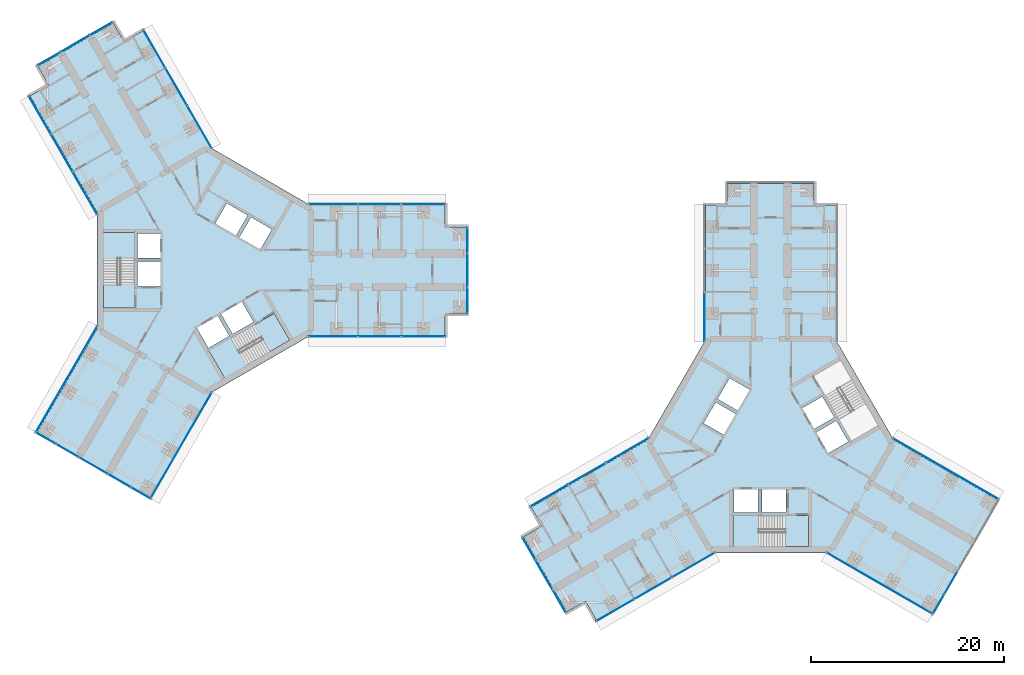
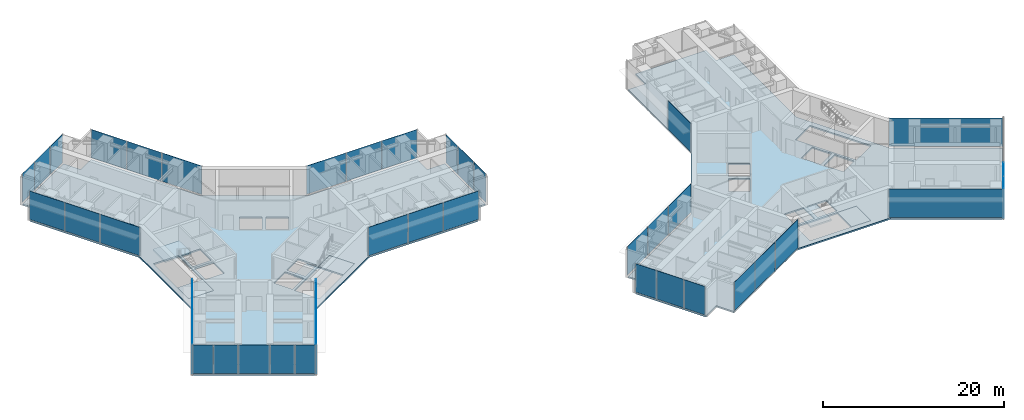
# One storey, part 13 of 22: 39 plates, 8 slabs, 19 elements without a shape of their own.
"""IFC4 building model written with IfcOpenShell, lengths in metres."""

from ifc_helpers import new_model, si_unit, direction, frame, origin, origin_2d, place, context, subcontext, project, spatial, polyline, rectangle, outline, extrude, material, layer, layer_set, type_object, element, aggregate, save


model = new_model("IFC4")

# Units and contexts
model_context = context("Model", 3, precision=1e-05, world=origin(), true_north=direction((0.0, 1.0)))
body_context = subcontext(model_context, "Body", "Model", "MODEL_VIEW")
ifc_project = project(units=[si_unit("LENGTHUNIT", "METRE"), si_unit("AREAUNIT", "SQUARE_METRE"), si_unit("VOLUMEUNIT", "CUBIC_METRE"), si_unit("PLANEANGLEUNIT", "RADIAN"), si_unit("MASSUNIT", "GRAM", prefix="KILO")], contexts=[model_context])

# Site, building, storey
site_placement = place(None, origin())
site = spatial("IfcSite", under=ifc_project, at=site_placement, CompositionType="ELEMENT")
building_placement = place(site_placement, origin())
building = spatial("IfcBuilding", under=site, at=building_placement, Name="Upepo Twin Towers", CompositionType="ELEMENT")
storey_placement = place(building_placement, frame((0.0, 0.0, 133.5)))
storey = spatial("IfcBuildingStorey", under=building, at=storey_placement, Name="L32", CompositionType="ELEMENT", Elevation=133.5)

# Curtain wall, plates
ifc_material_1 = material(Name="Aluminium and fritted glass", Category="aluminium")
curtain_wall_type = type_object("IfcCurtainWallType", Name="Tower curtain wall TW2, fritted glass", PredefinedType="NOTDEFINED", material=ifc_material_1)
curtain_wall_1_placement = place(storey_placement, origin())
curtain_wall_1 = element("IfcCurtainWall", 1, at=curtain_wall_1_placement, inside=storey, type_object=curtain_wall_type, Name="T1 L32 wing A flank L curtain wall", PredefinedType="NOTDEFINED")
ifc_material_2 = material(Name="Ceramic-fritted laminated glass", Category="glass")
ifc_layer_1 = layer(ifc_material_2, 0.031982421875)
ifc_layer_set_1 = layer_set([ifc_layer_1], Name="Fritted glass panel, 40 per cent dot frit, 32 mm double glazed")
plate_type_1 = type_object("IfcPlateType", Name="Fritted glass panel, 40 per cent dot frit, 32 mm double glazed", PredefinedType="CURTAIN_PANEL", material=ifc_layer_set_1)
plate_1_placement = place(storey_placement, frame((13.184814453125, 6.85009765625, 0.14990234375), z_axis=(0.0, 0.0, 1.0), x_axis=(1.0, 0.0, 0.0)))
plate_1 = element("IfcPlate", 2, at=plate_1_placement, type_object=plate_type_1, Name="T1 L32 wing A flank L curtain wall panel 1", PredefinedType="CURTAIN_PANEL", context=body_context, shape_type="SweptSolid", body=[
    extrude(rectangle(XDim=5.0654296875, YDim=0.031982421875, at=origin_2d()), origin(), (0.0, 0.0, 1.0), 3.85009765625),
])
plate_2_placement = place(storey_placement, frame((18.0, 6.85009765625, 0.14990234375), z_axis=(0.0, 0.0, 1.0), x_axis=(1.0, 0.0, 0.0)))
plate_2 = element("IfcPlate", 3, at=plate_2_placement, type_object=plate_type_1, Name="T1 L32 wing A flank L curtain wall panel 2", PredefinedType="CURTAIN_PANEL", context=body_context, shape_type="SweptSolid", body=[
    extrude(rectangle(XDim=4.43505859375, YDim=0.031982421875, at=origin_2d()), origin(), (0.0, 0.0, 1.0), 3.85009765625),
])
plate_3_placement = place(storey_placement, frame((22.53369140625, 6.85009765625, 0.14990234375), z_axis=(0.0, 0.0, 1.0), x_axis=(1.0, 0.0, 0.0)))
plate_3 = element("IfcPlate", 4, at=plate_3_placement, type_object=plate_type_1, Name="T1 L32 wing A flank L curtain wall panel 3", PredefinedType="CURTAIN_PANEL", context=body_context, shape_type="SweptSolid", body=[
    extrude(rectangle(XDim=4.50244140625, YDim=0.031982421875, at=origin_2d()), origin(), (0.0, 0.0, 1.0), 3.85009765625),
])
aggregate(curtain_wall_1, [plate_1, plate_2, plate_3])

curtain_wall_2_placement = place(storey_placement, origin())
curtain_wall_2 = element("IfcCurtainWall", 5, at=curtain_wall_2_placement, inside=storey, type_object=curtain_wall_type, Name="T1 L32 wing A flank R curtain wall", PredefinedType="NOTDEFINED")
plate_4_placement = place(storey_placement, frame((22.53369140625, -6.85009765625, 0.14990234375), z_axis=(0.0, 0.0, 1.0), x_axis=(-1.0, 0.0, 0.0)))
plate_4 = element("IfcPlate", 6, at=plate_4_placement, type_object=plate_type_1, Name="T1 L32 wing A flank R curtain wall panel 1", PredefinedType="CURTAIN_PANEL", context=body_context, shape_type="SweptSolid", body=[
    extrude(rectangle(XDim=4.50244140625, YDim=0.031982421875, at=origin_2d()), origin(), (0.0, 0.0, 1.0), 3.85009765625),
])
plate_5_placement = place(storey_placement, frame((18.0, -6.85009765625, 0.14990234375), z_axis=(0.0, 0.0, 1.0), x_axis=(-1.0, 0.0, 0.0)))
plate_5 = element("IfcPlate", 7, at=plate_5_placement, type_object=plate_type_1, Name="T1 L32 wing A flank R curtain wall panel 2", PredefinedType="CURTAIN_PANEL", context=body_context, shape_type="SweptSolid", body=[
    extrude(rectangle(XDim=4.43505859375, YDim=0.031982421875, at=origin_2d()), origin(), (0.0, 0.0, 1.0), 3.85009765625),
])
plate_6_placement = place(storey_placement, frame((13.184814453125, -6.85009765625, 0.14990234375), z_axis=(0.0, 0.0, 1.0), x_axis=(-1.0, 0.0, 0.0)))
plate_6 = element("IfcPlate", 8, at=plate_6_placement, type_object=plate_type_1, Name="T1 L32 wing A flank R curtain wall panel 3", PredefinedType="CURTAIN_PANEL", context=body_context, shape_type="SweptSolid", body=[
    extrude(rectangle(XDim=5.0654296875, YDim=0.031982421875, at=origin_2d()), origin(), (0.0, 0.0, 1.0), 3.85009765625),
])
aggregate(curtain_wall_2, [plate_4, plate_5, plate_6])

# Curtain wall, plate
curtain_wall_3_placement = place(storey_placement, origin())
curtain_wall_3 = element("IfcCurtainWall", 9, at=curtain_wall_3_placement, inside=storey, type_object=curtain_wall_type, Name="T1 L32 wing A nose curtain wall", PredefinedType="NOTDEFINED")
plate_7_placement = place(storey_placement, frame((27.10009765625, 0.0, 0.14990234375), z_axis=(0.0, 0.0, 1.0), x_axis=(0.0, 1.0, 0.0)))
plate_7 = element("IfcPlate", 10, at=plate_7_placement, type_object=plate_type_1, Name="T1 L32 wing A nose curtain wall panel 2", PredefinedType="CURTAIN_PANEL", context=body_context, shape_type="SweptSolid", body=[
    extrude(rectangle(XDim=3.43505859375, YDim=0.031982421875, at=origin_2d()), origin(), (0.0, 0.0, 1.0), 3.85009765625),
])

# Curtain wall, plates
curtain_wall_4_placement = place(storey_placement, origin())
curtain_wall_4 = element("IfcCurtainWall", 11, at=curtain_wall_4_placement, inside=storey, type_object=curtain_wall_type, Name="T1 L32 wing B flank L curtain wall", PredefinedType="NOTDEFINED")
plate_8_placement = place(storey_placement, frame((-12.524658203125, 7.993408203125, 0.14990234375), z_axis=(0.0, 0.0, 1.0), x_axis=(-0.500000010308, 0.866025397833, 0.0)))
plate_8 = element("IfcPlate", 12, at=plate_8_placement, type_object=plate_type_1, Name="T1 L32 wing B flank L curtain wall panel 1", PredefinedType="CURTAIN_PANEL", context=body_context, shape_type="SweptSolid", body=[
    extrude(rectangle(XDim=5.0654296875, YDim=0.031982421875, at=origin_2d()), origin(), (0.0, 0.0, 1.0), 3.85009765625),
])
plate_9_placement = place(storey_placement, frame((-14.932373046875, 12.16357421875, 0.14990234375), z_axis=(0.0, 0.0, 1.0), x_axis=(-0.500000010308, 0.866025397833, 0.0)))
plate_9 = element("IfcPlate", 13, at=plate_9_placement, type_object=plate_type_1, Name="T1 L32 wing B flank L curtain wall panel 2", PredefinedType="CURTAIN_PANEL", context=body_context, shape_type="SweptSolid", body=[
    extrude(rectangle(XDim=4.43505859375, YDim=0.031982421875, at=origin_2d()), origin(), (0.0, 0.0, 1.0), 3.85009765625),
])
plate_10_placement = place(storey_placement, frame((-17.19921875, 16.08984375, 0.14990234375), z_axis=(0.0, 0.0, 1.0), x_axis=(-0.500000010308, 0.866025397833, 0.0)))
plate_10 = element("IfcPlate", 14, at=plate_10_placement, type_object=plate_type_1, Name="T1 L32 wing B flank L curtain wall panel 3", PredefinedType="CURTAIN_PANEL", context=body_context, shape_type="SweptSolid", body=[
    extrude(rectangle(XDim=4.50244140625, YDim=0.031982421875, at=origin_2d()), origin(), (0.0, 0.0, 1.0), 3.85009765625),
])
aggregate(curtain_wall_4, [plate_8, plate_9, plate_10])

curtain_wall_5_placement = place(storey_placement, origin())
curtain_wall_5 = element("IfcCurtainWall", 15, at=curtain_wall_5_placement, inside=storey, type_object=curtain_wall_type, Name="T1 L32 wing B flank R curtain wall", PredefinedType="NOTDEFINED")
plate_11_placement = place(storey_placement, frame((-5.334716796875, 22.939697265625, 0.14990234375), z_axis=(0.0, 0.0, 1.0), x_axis=(0.500000010308, -0.866025397833, 0.0)))
plate_11 = element("IfcPlate", 16, at=plate_11_placement, type_object=plate_type_1, Name="T1 L32 wing B flank R curtain wall panel 1", PredefinedType="CURTAIN_PANEL", context=body_context, shape_type="SweptSolid", body=[
    extrude(rectangle(XDim=4.50244140625, YDim=0.031982421875, at=origin_2d()), origin(), (0.0, 0.0, 1.0), 3.85009765625),
])
plate_12_placement = place(storey_placement, frame((-3.067626953125, 19.013427734375, 0.14990234375), z_axis=(0.0, 0.0, 1.0), x_axis=(0.500000010308, -0.866025397833, 0.0)))
plate_12 = element("IfcPlate", 17, at=plate_12_placement, type_object=plate_type_1, Name="T1 L32 wing B flank R curtain wall panel 2", PredefinedType="CURTAIN_PANEL", context=body_context, shape_type="SweptSolid", body=[
    extrude(rectangle(XDim=4.43505859375, YDim=0.031982421875, at=origin_2d()), origin(), (0.0, 0.0, 1.0), 3.85009765625),
])
plate_13_placement = place(storey_placement, frame((-0.66015625, 14.84326171875, 0.14990234375), z_axis=(0.0, 0.0, 1.0), x_axis=(0.500000010308, -0.866025397833, 0.0)))
plate_13 = element("IfcPlate", 18, at=plate_13_placement, type_object=plate_type_1, Name="T1 L32 wing B flank R curtain wall panel 3", PredefinedType="CURTAIN_PANEL", context=body_context, shape_type="SweptSolid", body=[
    extrude(rectangle(XDim=5.0654296875, YDim=0.031982421875, at=origin_2d()), origin(), (0.0, 0.0, 1.0), 3.85009765625),
])
aggregate(curtain_wall_5, [plate_11, plate_12, plate_13])

# Curtain wall, plate
curtain_wall_6_placement = place(storey_placement, origin())
curtain_wall_6 = element("IfcCurtainWall", 19, at=curtain_wall_6_placement, inside=storey, type_object=curtain_wall_type, Name="T1 L32 wing B nose curtain wall", PredefinedType="NOTDEFINED")
plate_14_placement = place(storey_placement, frame((-13.550048828125, 23.46923828125, 0.14990234375), z_axis=(0.0, 0.0, 1.0), x_axis=(-0.866025386174, -0.500000030502, 0.0)))
plate_14 = element("IfcPlate", 20, at=plate_14_placement, type_object=plate_type_1, Name="T1 L32 wing B nose curtain wall panel 2", PredefinedType="CURTAIN_PANEL", context=body_context, shape_type="SweptSolid", body=[
    extrude(rectangle(XDim=3.43505859375, YDim=0.031982421875, at=origin_2d()), origin(), (0.0, 0.0, 1.0), 3.85009765625),
])

curtain_wall_7_placement = place(storey_placement, origin())
curtain_wall_7 = element("IfcCurtainWall", 21, at=curtain_wall_7_placement, inside=storey, type_object=curtain_wall_type, Name="T1 L32 wing C flank L curtain wall", PredefinedType="NOTDEFINED")
plate_15_placement = place(storey_placement, frame((-2.552001953125, -18.1201171875, 0.14990234375), z_axis=(0.0, 0.0, 1.0), x_axis=(-0.50000000792, -0.866025399212, 0.0)))
plate_15 = element("IfcPlate", 22, at=plate_15_placement, type_object=plate_type_1, Name="T1 L32 wing C flank L curtain wall panel 1", PredefinedType="CURTAIN_PANEL", context=body_context, shape_type="SweptSolid", body=[
    extrude(rectangle(XDim=12.6328125, YDim=0.031982421875, at=origin_2d()), origin(), (0.0, 0.0, 1.0), 3.85009765625),
])
aggregate(curtain_wall_7, [plate_15])

curtain_wall_8_placement = place(storey_placement, origin())
curtain_wall_8 = element("IfcCurtainWall", 23, at=curtain_wall_8_placement, inside=storey, type_object=curtain_wall_type, Name="T1 L32 wing C flank R curtain wall", PredefinedType="NOTDEFINED")
plate_16_placement = place(storey_placement, frame((-14.41650390625, -11.270263671875, 0.14990234375), z_axis=(0.0, 0.0, 1.0), x_axis=(0.50000000792, 0.866025399212, 0.0)))
plate_16 = element("IfcPlate", 24, at=plate_16_placement, type_object=plate_type_1, Name="T1 L32 wing C flank R curtain wall panel 1", PredefinedType="CURTAIN_PANEL", context=body_context, shape_type="SweptSolid", body=[
    extrude(rectangle(XDim=12.6328125, YDim=0.031982421875, at=origin_2d()), origin(), (0.0, 0.0, 1.0), 3.85009765625),
])
aggregate(curtain_wall_8, [plate_16])

# Curtain wall, plates
curtain_wall_9_placement = place(storey_placement, origin())
curtain_wall_9 = element("IfcCurtainWall", 25, at=curtain_wall_9_placement, inside=storey, type_object=curtain_wall_type, Name="T1 L32 wing C nose curtain wall", PredefinedType="NOTDEFINED")
plate_17_placement = place(storey_placement, frame((-14.38134765625, -18.6591796875, 0.14990234375), z_axis=(0.0, 0.0, 1.0), x_axis=(0.866025419745, -0.499999972355, 0.0)))
plate_17 = element("IfcPlate", 26, at=plate_17_placement, type_object=plate_type_1, Name="T1 L32 wing C nose curtain wall panel 2", PredefinedType="CURTAIN_PANEL", context=body_context, shape_type="SweptSolid", body=[
    extrude(rectangle(XDim=2.68505859375, YDim=0.031982421875, at=origin_2d()), origin(), (0.0, 0.0, 1.0), 3.85009765625),
])
plate_18_placement = place(storey_placement, frame((-11.675048828125, -20.2216796875, 0.14990234375), z_axis=(0.0, 0.0, 1.0), x_axis=(0.866025419745, -0.499999972355, 0.0)))
plate_18 = element("IfcPlate", 27, at=plate_18_placement, type_object=plate_type_1, Name="T1 L32 wing C nose curtain wall panel 3", PredefinedType="CURTAIN_PANEL", context=body_context, shape_type="SweptSolid", body=[
    extrude(rectangle(XDim=3.43505859375, YDim=0.031982421875, at=origin_2d()), origin(), (0.0, 0.0, 1.0), 3.85009765625),
])
plate_19_placement = place(storey_placement, frame((-8.96875, -21.7841796875, 0.14990234375), z_axis=(0.0, 0.0, 1.0), x_axis=(0.866025419745, -0.499999972355, 0.0)))
plate_19 = element("IfcPlate", 28, at=plate_19_placement, type_object=plate_type_1, Name="T1 L32 wing C nose curtain wall panel 4", PredefinedType="CURTAIN_PANEL", context=body_context, shape_type="SweptSolid", body=[
    extrude(rectangle(XDim=2.68505859375, YDim=0.031982421875, at=origin_2d()), origin(), (0.0, 0.0, 1.0), 3.85009765625),
])

# Curtain wall, plate
curtain_wall_10_placement = place(storey_placement, origin())
curtain_wall_10 = element("IfcCurtainWall", 29, at=curtain_wall_10_placement, inside=storey, type_object=curtain_wall_type, Name="T2 L32 wing A flank L curtain wall", PredefinedType="NOTDEFINED")
plate_20_placement = place(storey_placement, frame((51.64990234375, -4.815185546875, 0.14990234375), z_axis=(0.0, 0.0, 1.0), x_axis=(0.0, 1.0, 0.0)))
plate_20 = element("IfcPlate", 30, at=plate_20_placement, type_object=plate_type_1, Name="T2 L32 wing A flank L curtain wall panel 1", PredefinedType="CURTAIN_PANEL", context=body_context, shape_type="SweptSolid", body=[
    extrude(rectangle(XDim=5.0654296875, YDim=0.031982421875, at=origin_2d()), origin(), (0.0, 0.0, 1.0), 3.85009765625),
])
aggregate(curtain_wall_10, [plate_20])

# Curtain wall, plates
curtain_wall_11_placement = place(storey_placement, origin())
curtain_wall_11 = element("IfcCurtainWall", 31, at=curtain_wall_11_placement, inside=storey, type_object=curtain_wall_type, Name="T2 L32 wing B flank L curtain wall", PredefinedType="NOTDEFINED")
plate_21_placement = place(storey_placement, frame((50.506591796875, -30.524658203125, 0.14990234375), z_axis=(0.0, 0.0, 1.0), x_axis=(-0.866025397833, -0.500000010308, 0.0)))
plate_21 = element("IfcPlate", 32, at=plate_21_placement, type_object=plate_type_1, Name="T2 L32 wing B flank L curtain wall panel 1", PredefinedType="CURTAIN_PANEL", context=body_context, shape_type="SweptSolid", body=[
    extrude(rectangle(XDim=5.0654296875, YDim=0.031982421875, at=origin_2d()), origin(), (0.0, 0.0, 1.0), 3.85009765625),
])
plate_22_placement = place(storey_placement, frame((46.33642578125, -32.932373046875, 0.14990234375), z_axis=(0.0, 0.0, 1.0), x_axis=(-0.866025397833, -0.500000010308, 0.0)))
plate_22 = element("IfcPlate", 33, at=plate_22_placement, type_object=plate_type_1, Name="T2 L32 wing B flank L curtain wall panel 2", PredefinedType="CURTAIN_PANEL", context=body_context, shape_type="SweptSolid", body=[
    extrude(rectangle(XDim=4.43505859375, YDim=0.031982421875, at=origin_2d()), origin(), (0.0, 0.0, 1.0), 3.85009765625),
])
plate_23_placement = place(storey_placement, frame((42.41015625, -35.19921875, 0.14990234375), z_axis=(0.0, 0.0, 1.0), x_axis=(-0.866025397833, -0.500000010308, 0.0)))
plate_23 = element("IfcPlate", 34, at=plate_23_placement, type_object=plate_type_1, Name="T2 L32 wing B flank L curtain wall panel 3", PredefinedType="CURTAIN_PANEL", context=body_context, shape_type="SweptSolid", body=[
    extrude(rectangle(XDim=4.50244140625, YDim=0.031982421875, at=origin_2d()), origin(), (0.0, 0.0, 1.0), 3.85009765625),
])
aggregate(curtain_wall_11, [plate_21, plate_22, plate_23])

curtain_wall_12_placement = place(storey_placement, origin())
curtain_wall_12 = element("IfcCurtainWall", 35, at=curtain_wall_12_placement, inside=storey, type_object=curtain_wall_type, Name="T2 L32 wing B flank R curtain wall", PredefinedType="NOTDEFINED")
plate_24_placement = place(storey_placement, frame((35.560302734375, -23.334716796875, 0.14990234375), z_axis=(0.0, 0.0, 1.0), x_axis=(0.866025397833, 0.500000010308, 0.0)))
plate_24 = element("IfcPlate", 36, at=plate_24_placement, type_object=plate_type_1, Name="T2 L32 wing B flank R curtain wall panel 1", PredefinedType="CURTAIN_PANEL", context=body_context, shape_type="SweptSolid", body=[
    extrude(rectangle(XDim=4.50244140625, YDim=0.031982421875, at=origin_2d()), origin(), (0.0, 0.0, 1.0), 3.85009765625),
])
plate_25_placement = place(storey_placement, frame((39.486572265625, -21.067626953125, 0.14990234375), z_axis=(0.0, 0.0, 1.0), x_axis=(0.866025397833, 0.500000010308, 0.0)))
plate_25 = element("IfcPlate", 37, at=plate_25_placement, type_object=plate_type_1, Name="T2 L32 wing B flank R curtain wall panel 2", PredefinedType="CURTAIN_PANEL", context=body_context, shape_type="SweptSolid", body=[
    extrude(rectangle(XDim=4.43505859375, YDim=0.031982421875, at=origin_2d()), origin(), (0.0, 0.0, 1.0), 3.85009765625),
])
plate_26_placement = place(storey_placement, frame((43.65673828125, -18.66015625, 0.14990234375), z_axis=(0.0, 0.0, 1.0), x_axis=(0.866025397833, 0.500000010308, 0.0)))
plate_26 = element("IfcPlate", 38, at=plate_26_placement, type_object=plate_type_1, Name="T2 L32 wing B flank R curtain wall panel 3", PredefinedType="CURTAIN_PANEL", context=body_context, shape_type="SweptSolid", body=[
    extrude(rectangle(XDim=5.0654296875, YDim=0.031982421875, at=origin_2d()), origin(), (0.0, 0.0, 1.0), 3.85009765625),
])
aggregate(curtain_wall_12, [plate_24, plate_25, plate_26])

# Curtain wall, plate
curtain_wall_13_placement = place(storey_placement, origin())
curtain_wall_13 = element("IfcCurtainWall", 39, at=curtain_wall_13_placement, inside=storey, type_object=curtain_wall_type, Name="T2 L32 wing B nose curtain wall", PredefinedType="NOTDEFINED")
plate_27_placement = place(storey_placement, frame((35.03076171875, -31.550048828125, 0.14990234375), z_axis=(0.0, 0.0, 1.0), x_axis=(0.500000030502, -0.866025386174, 0.0)))
plate_27 = element("IfcPlate", 40, at=plate_27_placement, type_object=plate_type_1, Name="T2 L32 wing B nose curtain wall panel 2", PredefinedType="CURTAIN_PANEL", context=body_context, shape_type="SweptSolid", body=[
    extrude(rectangle(XDim=3.43505859375, YDim=0.031982421875, at=origin_2d()), origin(), (0.0, 0.0, 1.0), 3.85009765625),
])

curtain_wall_14_placement = place(storey_placement, origin())
curtain_wall_14 = element("IfcCurtainWall", 41, at=curtain_wall_14_placement, inside=storey, type_object=curtain_wall_type, Name="T2 L32 wing C flank L curtain wall", PredefinedType="NOTDEFINED")
plate_28_placement = place(storey_placement, frame((76.6201171875, -20.552001953125, 0.14990234375), z_axis=(0.0, 0.0, 1.0), x_axis=(0.866025399212, -0.50000000792, 0.0)))
plate_28 = element("IfcPlate", 42, at=plate_28_placement, type_object=plate_type_1, Name="T2 L32 wing C flank L curtain wall panel 1", PredefinedType="CURTAIN_PANEL", context=body_context, shape_type="SweptSolid", body=[
    extrude(rectangle(XDim=12.6328125, YDim=0.031982421875, at=origin_2d()), origin(), (0.0, 0.0, 1.0), 3.85009765625),
])
aggregate(curtain_wall_14, [plate_28])

curtain_wall_15_placement = place(storey_placement, origin())
curtain_wall_15 = element("IfcCurtainWall", 43, at=curtain_wall_15_placement, inside=storey, type_object=curtain_wall_type, Name="T2 L32 wing C flank R curtain wall", PredefinedType="NOTDEFINED")
plate_29_placement = place(storey_placement, frame((69.770263671875, -32.41650390625, 0.14990234375), z_axis=(0.0, 0.0, 1.0), x_axis=(-0.866025399212, 0.50000000792, 0.0)))
plate_29 = element("IfcPlate", 44, at=plate_29_placement, type_object=plate_type_1, Name="T2 L32 wing C flank R curtain wall panel 1", PredefinedType="CURTAIN_PANEL", context=body_context, shape_type="SweptSolid", body=[
    extrude(rectangle(XDim=12.6328125, YDim=0.031982421875, at=origin_2d()), origin(), (0.0, 0.0, 1.0), 3.85009765625),
])
aggregate(curtain_wall_15, [plate_29])

curtain_wall_16_placement = place(storey_placement, origin())
curtain_wall_16 = element("IfcCurtainWall", 45, at=curtain_wall_16_placement, inside=storey, type_object=curtain_wall_type, Name="T2 L32 wing C nose curtain wall", PredefinedType="NOTDEFINED")
plate_30_placement = place(storey_placement, frame((77.1591796875, -32.38134765625, 0.14990234375), z_axis=(0.0, 0.0, 1.0), x_axis=(0.499999972355, 0.866025419745, 0.0)))
plate_30 = element("IfcPlate", 46, at=plate_30_placement, type_object=plate_type_1, Name="T2 L32 wing C nose curtain wall panel 2", PredefinedType="CURTAIN_PANEL", context=body_context, shape_type="SweptSolid", body=[
    extrude(rectangle(XDim=2.68505859375, YDim=0.031982421875, at=origin_2d()), origin(), (0.0, 0.0, 1.0), 3.85009765625),
])

# Plate
ifc_material_3 = material(Name="Clear laminated glass in opening sash", Category="glass")
ifc_layer_2 = layer(ifc_material_3, 0.031982421875)
ifc_layer_set_2 = layer_set([ifc_layer_2], Name="Operable glass panel, 32 mm double glazed")
plate_type_2 = type_object("IfcPlateType", Name="Operable glass panel, 32 mm double glazed", PredefinedType="CURTAIN_PANEL", material=ifc_layer_set_2)
plate_31_placement = place(storey_placement, frame((27.10009765625, -3.108642578125, 0.14990234375), z_axis=(0.0, 0.0, 1.0), x_axis=(0.0, 1.0, 0.0)))
plate_31 = element("IfcPlate", 47, at=plate_31_placement, type_object=plate_type_2, Name="T1 L32 wing A nose curtain wall panel 1", PredefinedType="CURTAIN_PANEL", context=body_context, shape_type="SweptSolid", body=[
    extrude(rectangle(XDim=2.652587890625, YDim=0.031982421875, at=origin_2d()), origin(), (0.0, 0.0, 1.0), 3.85009765625),
])

plate_32_placement = place(storey_placement, frame((27.10009765625, 3.108642578125, 0.14990234375), z_axis=(0.0, 0.0, 1.0), x_axis=(0.0, 1.0, 0.0)))
plate_32 = element("IfcPlate", 48, at=plate_32_placement, type_object=plate_type_2, Name="T1 L32 wing A nose curtain wall panel 3", PredefinedType="CURTAIN_PANEL", context=body_context, shape_type="SweptSolid", body=[
    extrude(rectangle(XDim=2.652587890625, YDim=0.031982421875, at=origin_2d()), origin(), (0.0, 0.0, 1.0), 3.85009765625),
])

aggregate(curtain_wall_3, [plate_31, plate_7, plate_32])

plate_33_placement = place(storey_placement, frame((-10.857666015625, 25.023681640625, 0.14990234375), z_axis=(0.0, 0.0, 1.0), x_axis=(-0.866025386174, -0.500000030502, 0.0)))
plate_33 = element("IfcPlate", 49, at=plate_33_placement, type_object=plate_type_2, Name="T1 L32 wing B nose curtain wall panel 1", PredefinedType="CURTAIN_PANEL", context=body_context, shape_type="SweptSolid", body=[
    extrude(rectangle(XDim=2.652587890625, YDim=0.031982421875, at=origin_2d()), origin(), (0.0, 0.0, 1.0), 3.85009765625),
])

plate_34_placement = place(storey_placement, frame((-16.2421875, 21.914794921875, 0.14990234375), z_axis=(0.0, 0.0, 1.0), x_axis=(-0.866025386174, -0.500000030502, 0.0)))
plate_34 = element("IfcPlate", 50, at=plate_34_placement, type_object=plate_type_2, Name="T1 L32 wing B nose curtain wall panel 3", PredefinedType="CURTAIN_PANEL", context=body_context, shape_type="SweptSolid", body=[
    extrude(rectangle(XDim=2.652587890625, YDim=0.031982421875, at=origin_2d()), origin(), (0.0, 0.0, 1.0), 3.85009765625),
])

aggregate(curtain_wall_6, [plate_33, plate_14, plate_34])

plate_35_placement = place(storey_placement, frame((-16.618896484375, -17.367431640625, 0.14990234375), z_axis=(0.0, 0.0, 1.0), x_axis=(0.866025419745, -0.499999972355, 0.0)))
plate_35 = element("IfcPlate", 51, at=plate_35_placement, type_object=plate_type_2, Name="T1 L32 wing C nose curtain wall panel 1", PredefinedType="CURTAIN_PANEL", context=body_context, shape_type="SweptSolid", body=[
    extrude(rectangle(XDim=2.3525390625, YDim=0.031982421875, at=origin_2d()), origin(), (0.0, 0.0, 1.0), 3.85009765625),
])

plate_36_placement = place(storey_placement, frame((-6.73095703125, -23.076171875, 0.14990234375), z_axis=(0.0, 0.0, 1.0), x_axis=(0.866025419745, -0.499999972355, 0.0)))
plate_36 = element("IfcPlate", 52, at=plate_36_placement, type_object=plate_type_2, Name="T1 L32 wing C nose curtain wall panel 5", PredefinedType="CURTAIN_PANEL", context=body_context, shape_type="SweptSolid", body=[
    extrude(rectangle(XDim=2.3525390625, YDim=0.031982421875, at=origin_2d()), origin(), (0.0, 0.0, 1.0), 3.85009765625),
])

aggregate(curtain_wall_9, [plate_35, plate_17, plate_18, plate_19, plate_36])

plate_37_placement = place(storey_placement, frame((33.476318359375, -28.857666015625, 0.14990234375), z_axis=(0.0, 0.0, 1.0), x_axis=(0.500000030502, -0.866025386174, 0.0)))
plate_37 = element("IfcPlate", 53, at=plate_37_placement, type_object=plate_type_2, Name="T2 L32 wing B nose curtain wall panel 1", PredefinedType="CURTAIN_PANEL", context=body_context, shape_type="SweptSolid", body=[
    extrude(rectangle(XDim=2.652587890625, YDim=0.031982421875, at=origin_2d()), origin(), (0.0, 0.0, 1.0), 3.85009765625),
])

plate_38_placement = place(storey_placement, frame((36.585205078125, -34.2421875, 0.14990234375), z_axis=(0.0, 0.0, 1.0), x_axis=(0.500000030502, -0.866025386174, 0.0)))
plate_38 = element("IfcPlate", 54, at=plate_38_placement, type_object=plate_type_2, Name="T2 L32 wing B nose curtain wall panel 3", PredefinedType="CURTAIN_PANEL", context=body_context, shape_type="SweptSolid", body=[
    extrude(rectangle(XDim=2.652587890625, YDim=0.031982421875, at=origin_2d()), origin(), (0.0, 0.0, 1.0), 3.85009765625),
])

aggregate(curtain_wall_13, [plate_37, plate_27, plate_38])

plate_39_placement = place(storey_placement, frame((75.867431640625, -34.618896484375, 0.14990234375), z_axis=(0.0, 0.0, 1.0), x_axis=(0.499999972355, 0.866025419745, 0.0)))
plate_39 = element("IfcPlate", 55, at=plate_39_placement, type_object=plate_type_2, Name="T2 L32 wing C nose curtain wall panel 1", PredefinedType="CURTAIN_PANEL", context=body_context, shape_type="SweptSolid", body=[
    extrude(rectangle(XDim=2.3525390625, YDim=0.031982421875, at=origin_2d()), origin(), (0.0, 0.0, 1.0), 3.85009765625),
])

aggregate(curtain_wall_16, [plate_39, plate_30])

# Stair, slabs
ifc_material_4 = material(Name="Concrete C40/50", Category="concrete")
stair_type = type_object("IfcStairType", Name="Core stair, two flights", PredefinedType="HALF_TURN_STAIR", material=ifc_material_4)
stair_1_placement = place(storey_placement, origin())
stair_1 = element("IfcStair", 56, at=stair_1_placement, inside=storey, type_object=stair_type, Name="T1 stair S1 L32", PredefinedType="HALF_TURN_STAIR")
ifc_material_5 = material(Name="Concrete C40/50", Category="concrete")
ifc_layer_3 = layer(ifc_material_5, 0.199951171875)
ifc_layer_set_3 = layer_set([ifc_layer_3], Name="Concrete C40/50")
slab_type_1 = type_object("IfcSlabType", Name="Stair landing 200 RC", PredefinedType="LANDING", material=ifc_layer_set_3)
slab_1_placement = place(storey_placement, frame((0.0, 0.0, -0.199951171875)))
slab_1 = element("IfcSlab", 57, at=slab_1_placement, type_object=slab_type_1, Name="Stair S1 landing 1", PredefinedType="LANDING", context=body_context, shape_type="SweptSolid", body=[
    extrude(outline(polyline([(-7.39990234375, -1.419921875), (-10.6083984375, -1.419921875), (-10.6083984375, -3.89990234375), (-7.39990234375, -3.89990234375), (-7.39990234375, -1.419921875)])), origin(), (0.0, 0.0, 1.0), 0.199951171875),
])
slab_2_placement = place(storey_placement, frame((0.0, 0.0, 1.800048828125)))
slab_2 = element("IfcSlab", 58, at=slab_2_placement, type_object=slab_type_1, Name="Stair S1 landing 2", PredefinedType="LANDING", context=body_context, shape_type="SweptSolid", body=[
    extrude(outline(polyline([(-7.300048828125, 3.89990234375), (-10.708251953125, 3.89990234375), (-10.708251953125, 1.179931640625), (-7.300048828125, 1.179931640625), (-7.300048828125, 3.89990234375)])), origin(), (0.0, 0.0, 1.0), 0.199951171875),
])
aggregate(stair_1, [slab_1, slab_2])

stair_2_placement = place(storey_placement, origin())
stair_2 = element("IfcStair", 59, at=stair_2_placement, inside=storey, type_object=stair_type, Name="T1 stair S2 L32", PredefinedType="HALF_TURN_STAIR")
slab_3_placement = place(storey_placement, frame((0.0, 0.0, -0.199951171875)))
slab_3 = element("IfcSlab", 60, at=slab_3_placement, type_object=slab_type_1, Name="Stair S2 landing 1", PredefinedType="LANDING", context=body_context, shape_type="SweptSolid", body=[
    extrude(outline(polyline([(4.9296875, -5.698486328125), (6.533935546875, -8.47705078125), (8.681640625, -7.237060546875), (7.077392578125, -4.45849609375), (4.9296875, -5.698486328125)])), origin(), (0.0, 0.0, 1.0), 0.199951171875),
])
slab_4_placement = place(storey_placement, frame((0.0, 0.0, 1.800048828125)))
slab_4 = element("IfcSlab", 61, at=slab_4_placement, type_object=slab_type_1, Name="Stair S2 landing 2", PredefinedType="LANDING", context=body_context, shape_type="SweptSolid", body=[
    extrude(outline(polyline([(0.2724609375, -8.27197265625), (1.9765625, -11.2236328125), (4.332275390625, -9.86376953125), (2.628173828125, -6.911865234375), (0.2724609375, -8.27197265625)])), origin(), (0.0, 0.0, 1.0), 0.199951171875),
])
aggregate(stair_2, [slab_3, slab_4])

stair_3_placement = place(storey_placement, origin())
stair_3 = element("IfcStair", 62, at=stair_3_placement, inside=storey, type_object=stair_type, Name="T2 stair S1 L32", PredefinedType="HALF_TURN_STAIR")
slab_5_placement = place(storey_placement, frame((0.0, 0.0, -0.199951171875)))
slab_5 = element("IfcSlab", 63, at=slab_5_placement, type_object=slab_type_1, Name="Stair S1 landing 1", PredefinedType="LANDING", context=body_context, shape_type="SweptSolid", body=[
    extrude(outline(polyline([(59.919921875, -25.39990234375), (59.919921875, -28.6083984375), (62.39990234375, -28.6083984375), (62.39990234375, -25.39990234375), (59.919921875, -25.39990234375)])), origin(), (0.0, 0.0, 1.0), 0.199951171875),
])
slab_6_placement = place(storey_placement, frame((0.0, 0.0, 1.800048828125)))
slab_6 = element("IfcSlab", 64, at=slab_6_placement, type_object=slab_type_1, Name="Stair S1 landing 2", PredefinedType="LANDING", context=body_context, shape_type="SweptSolid", body=[
    extrude(outline(polyline([(54.60009765625, -25.300048828125), (54.60009765625, -28.708251953125), (57.320068359375, -28.708251953125), (57.320068359375, -25.300048828125), (54.60009765625, -25.300048828125)])), origin(), (0.0, 0.0, 1.0), 0.199951171875),
])
aggregate(stair_3, [slab_5, slab_6])

# Slabs
ifc_material_6 = material(Name="Concrete C40/50", Category="concrete")
ifc_layer_4 = layer(ifc_material_6, 0.199951171875)
ifc_layer_set_4 = layer_set([ifc_layer_4], Name="Concrete C40/50")
slab_type_2 = type_object("IfcSlabType", Name="Tower floor slab 200 RC", PredefinedType="FLOOR", material=ifc_layer_set_4)
slab_7_placement = place(storey_placement, frame((0.0, 0.0, -0.199951171875)))
element("IfcSlab", 65, at=slab_7_placement, inside=storey, type_object=slab_type_2, Name="T1 L32 floor slab", PredefinedType="FLOOR", context=body_context, shape_type="SweptSolid", body=[
    extrude(outline(polyline([(-17.470703125, -16.760009765625), (-11.25830078125, -6.0), (-11.25830078125, 6.0), (-18.220703125, 18.05908203125), (-16.272216796875, 19.18408203125), (-17.397216796875, 21.132568359375), (-9.602783203125, 25.632568359375), (-8.477783203125, 23.68408203125), (-6.529296875, 24.80908203125), (0.43310546875, 12.75), (10.825439453125, 6.75), (24.75, 6.75), (24.75, 4.5), (27.0, 4.5), (27.0, -4.5), (24.75, -4.5), (24.75, -6.75), (10.825439453125, -6.75), (0.43310546875, -12.75), (-5.779296875, -23.510009765625), (-17.470703125, -16.760009765625)]), holes=[polyline([(5.640869140625, 2.17041015625), (6.8408203125, 4.248779296875), (4.67578125, 5.498779296875), (3.475830078125, 3.42041015625), (5.640869140625, 2.17041015625)]), polyline([(3.12939453125, 3.620361328125), (4.329345703125, 5.69873046875), (2.164306640625, 6.94873046875), (0.96435546875, 4.870361328125), (3.12939453125, 3.620361328125)]), polyline([(-4.699951171875, 3.800048828125), (-7.10009765625, 3.800048828125), (-7.10009765625, 1.300048828125), (-4.699951171875, 1.300048828125), (-4.699951171875, 3.800048828125)]), polyline([(-4.699951171875, 0.89990234375), (-7.10009765625, 0.89990234375), (-7.10009765625, -1.60009765625), (-4.699951171875, -1.60009765625), (-4.699951171875, 0.89990234375)]), polyline([(-7.39990234375, 3.89990234375), (-10.6083984375, 3.89990234375), (-10.6083984375, -3.89990234375), (-7.39990234375, -3.89990234375), (-7.39990234375, 3.89990234375)]), polyline([(-0.94091796875, -5.97021484375), (0.259033203125, -8.048828125), (2.424072265625, -6.798828125), (1.22412109375, -4.72021484375), (-0.94091796875, -5.97021484375)]), polyline([(1.570556640625, -4.520263671875), (2.7705078125, -6.598876953125), (4.935546875, -5.348876953125), (3.735595703125, -3.270263671875), (1.570556640625, -4.520263671875)]), polyline([(0.322509765625, -8.358642578125), (1.9267578125, -11.136962890625), (8.681640625, -7.237060546875), (7.077392578125, -4.45849609375), (0.322509765625, -8.358642578125)])]), origin(), (0.0, 0.0, 1.0), 0.199951171875),
])
slab_8_placement = place(storey_placement, frame((0.0, 0.0, -0.199951171875)))
element("IfcSlab", 66, at=slab_8_placement, inside=storey, type_object=slab_type_2, Name="T2 L32 floor slab", PredefinedType="FLOOR", context=body_context, shape_type="SweptSolid", body=[
    extrude(outline(polyline([(75.260009765625, -35.470703125), (64.5, -29.25830078125), (52.5, -29.25830078125), (40.44091796875, -36.220703125), (39.31591796875, -34.272216796875), (37.367431640625, -35.397216796875), (32.867431640625, -27.602783203125), (34.81591796875, -26.477783203125), (33.69091796875, -24.529296875), (45.75, -17.56689453125), (51.75, -7.174560546875), (51.75, 6.75), (54.0, 6.75), (54.0, 9.0), (63.0, 9.0), (63.0, 6.75), (65.25, 6.75), (65.25, -7.174560546875), (71.25, -17.56689453125), (82.010009765625, -23.779296875), (75.260009765625, -35.470703125)]), holes=[polyline([(56.32958984375, -12.359130859375), (54.251220703125, -11.1591796875), (53.001220703125, -13.32421875), (55.07958984375, -14.524169921875), (56.32958984375, -12.359130859375)]), polyline([(54.879638671875, -14.87060546875), (52.80126953125, -13.670654296875), (51.55126953125, -15.835693359375), (53.629638671875, -17.03564453125), (54.879638671875, -14.87060546875)]), polyline([(54.699951171875, -22.699951171875), (54.699951171875, -25.10009765625), (57.199951171875, -25.10009765625), (57.199951171875, -22.699951171875), (54.699951171875, -22.699951171875)]), polyline([(57.60009765625, -22.699951171875), (57.60009765625, -25.10009765625), (60.10009765625, -25.10009765625), (60.10009765625, -22.699951171875), (57.60009765625, -22.699951171875)]), polyline([(54.60009765625, -25.39990234375), (54.60009765625, -28.6083984375), (62.39990234375, -28.6083984375), (62.39990234375, -25.39990234375), (54.60009765625, -25.39990234375)]), polyline([(64.47021484375, -18.94091796875), (66.548828125, -17.740966796875), (65.298828125, -15.575927734375), (63.22021484375, -16.77587890625), (64.47021484375, -18.94091796875)]), polyline([(63.020263671875, -16.429443359375), (65.098876953125, -15.2294921875), (63.848876953125, -13.064453125), (61.770263671875, -14.264404296875), (63.020263671875, -16.429443359375)]), polyline([(66.858642578125, -17.677490234375), (69.636962890625, -16.0732421875), (65.737060546875, -9.318359375), (62.95849609375, -10.922607421875), (66.858642578125, -17.677490234375)])]), origin(), (0.0, 0.0, 1.0), 0.199951171875),
])

save(model, "model.ifc")
